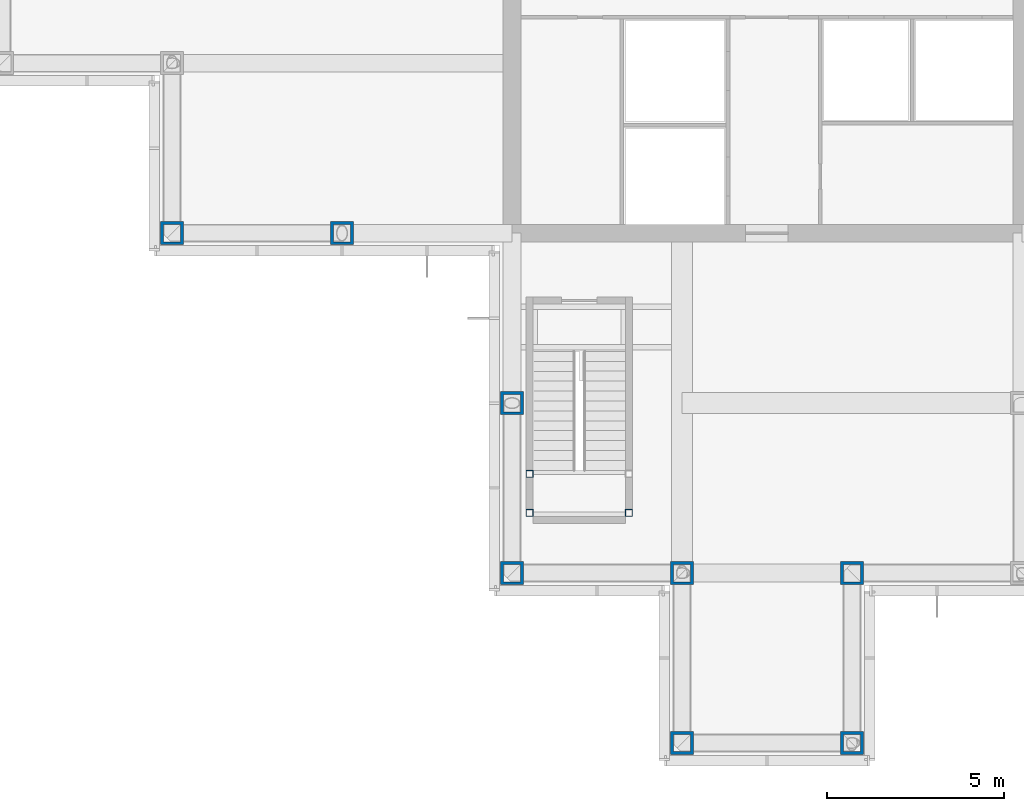
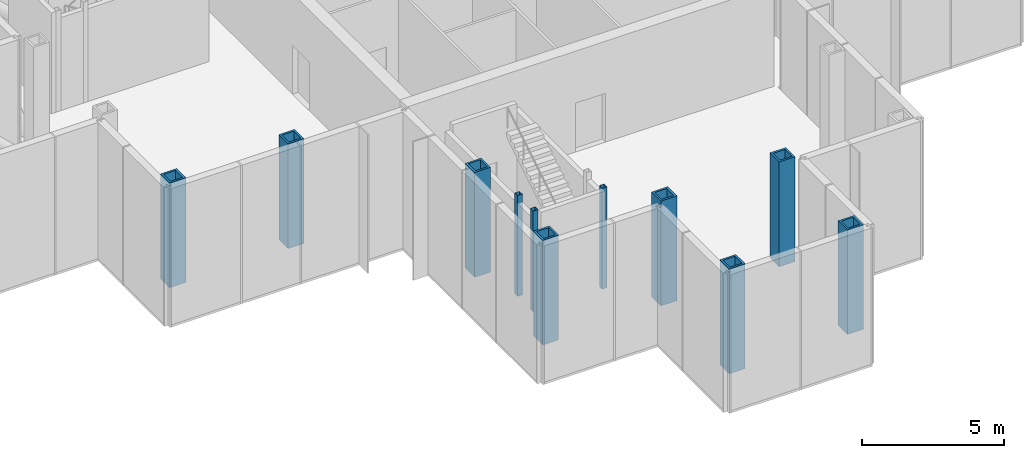
# One storey, part 1 of 13: 11 columns.
"""IFC4 building model written with IfcOpenShell, lengths in metres."""

from ifc_helpers import new_model, si_unit, direction, frame, origin, origin_2d, place, context, subcontext, project, spatial, hollow_rectangle, extrude, material, material_profile, profile_set, type_object, element, save


model = new_model("IFC4")

# Units and contexts
model_context = context("Model", 3, precision=1e-05, world=origin(), true_north=direction((0.0, 1.0)))
body_context = subcontext(model_context, "Body", "Model", "MODEL_VIEW")
ifc_project = project(units=[si_unit("LENGTHUNIT", "METRE"), si_unit("AREAUNIT", "SQUARE_METRE"), si_unit("VOLUMEUNIT", "CUBIC_METRE"), si_unit("PLANEANGLEUNIT", "RADIAN"), si_unit("MASSUNIT", "GRAM", prefix="KILO")], contexts=[model_context])

# Site, building, storey
site_placement = place(None, origin())
site = spatial("IfcSite", under=ifc_project, at=site_placement, CompositionType="ELEMENT")
building_placement = place(site_placement, origin())
building = spatial("IfcBuilding", under=site, at=building_placement, Name="Kvirike Care Tower", CompositionType="ELEMENT")
storey_placement = place(building_placement, frame((0.0, 0.0, 190.0)))
storey = spatial("IfcBuildingStorey", under=building, at=storey_placement, Name="L52", CompositionType="ELEMENT", Elevation=190.0)

# Columns
ifc_material_1 = material(Name="Steel S460", Category="steel")
ifc_material_profile_1 = material_profile(ifc_material_1, hollow_rectangle(XDim=0.64990234375, YDim=0.64990234375, WallThickness=0.080078125, at=origin_2d()), Name="BX 650x650x80")
ifc_profile_set_1 = profile_set([ifc_material_profile_1], Name="Steel S460")
column_type_1 = type_object("IfcColumnType", Name="COLUMN BX 650x650x80", PredefinedType="COLUMN", material=ifc_profile_set_1)
for number, where, z_axis, x_axis, name in (
    (1, (4.800048828125, 28.800048828125, 0.0), (0.0, 0.0, 1.0), (0.0, 1.0, 0.0), "Column G4 L52"),
    (2, (9.60009765625, 28.800048828125, 0.0), (0.0, 0.0, 1.0), (0.0, 1.0, 0.0), "Column G5 L52"),
    (3, (14.39990234375, 19.199951171875, 0.0), (0.0, 0.0, 1.0), (0.0, 1.0, 0.0), "Column E6 L52"),
    (4, (14.39990234375, 24.0, 0.0), (0.0, 0.0, 1.0), (1.0, 0.0, 0.0), "Column F6 L52"),
    (5, (19.199951171875, 14.39990234375, 0.0), (0.0, 0.0, 1.0), (0.0, 1.0, 0.0), "Column D7 L52"),
    (6, (19.199951171875, 19.199951171875, 0.0), (0.0, 0.0, 1.0), (0.0, 1.0, 0.0), "Column E7 L52"),
    (7, (24.0, 14.39990234375, 0.0), (0.0, 0.0, 1.0), (0.0, 1.0, 0.0), "Column D8 L52"),
    (8, (24.0, 19.199951171875, 0.0), (0.0, 0.0, 1.0), (0.0, 1.0, 0.0), "Column E8 L52"),
):
    element("IfcColumn", number, at=place(storey_placement, frame(where, z_axis=z_axis, x_axis=x_axis)), inside=storey, type_object=column_type_1, Name=name, PredefinedType="COLUMN", context=body_context, shape_type="SweptSolid", body=[
        extrude(hollow_rectangle(XDim=0.64990234375, YDim=0.64990234375, WallThickness=0.080078125, at=origin_2d()), origin(), (0.0, 0.0, 1.0), 4.5),
    ])
ifc_material_2 = material(Name="Steel S460", Category="steel")
ifc_material_profile_2 = material_profile(ifc_material_2, hollow_rectangle(XDim=0.199951171875, YDim=0.199951171875, WallThickness=0.008056640625, at=origin_2d()), Name="SHS 200x200x8")
ifc_profile_set_2 = profile_set([ifc_material_profile_2], Name="Steel S460")
column_type_2 = type_object("IfcColumnType", Name="STAIR POST SHS 200x200x8", PredefinedType="COLUMN", material=ifc_profile_set_2)
for number, where, z_axis, x_axis, name in (
    (9, (14.89990234375, 20.89990234375, 0.0), (0.0, 0.0, 1.0), (1.0, 0.0, 0.0), "Stair 5 post 1 L52"),
    (10, (17.699951171875, 20.89990234375, 0.0), (0.0, 0.0, 1.0), (1.0, 0.0, 0.0), "Stair 5 post 2 L52"),
    (11, (14.89990234375, 22.0, 0.0), (0.0, 0.0, 1.0), (1.0, 0.0, 0.0), "Stair 5 post 3 L52"),
):
    element("IfcColumn", number, at=place(storey_placement, frame(where, z_axis=z_axis, x_axis=x_axis)), inside=storey, type_object=column_type_2, Name=name, PredefinedType="COLUMN", context=body_context, shape_type="SweptSolid", body=[
        extrude(hollow_rectangle(XDim=0.199951171875, YDim=0.199951171875, WallThickness=0.008056640625, at=origin_2d()), origin(), (0.0, 0.0, 1.0), 4.330078125),
    ])

save(model, "model.ifc")
